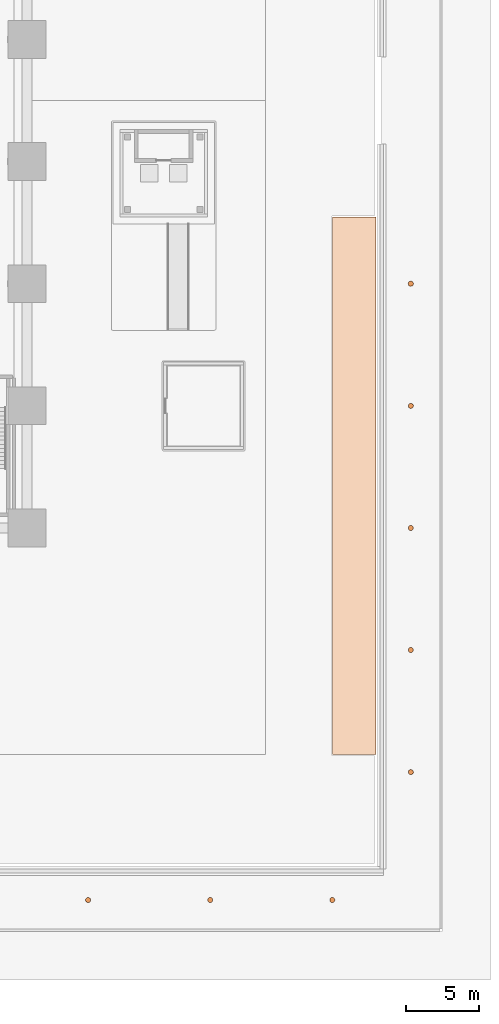
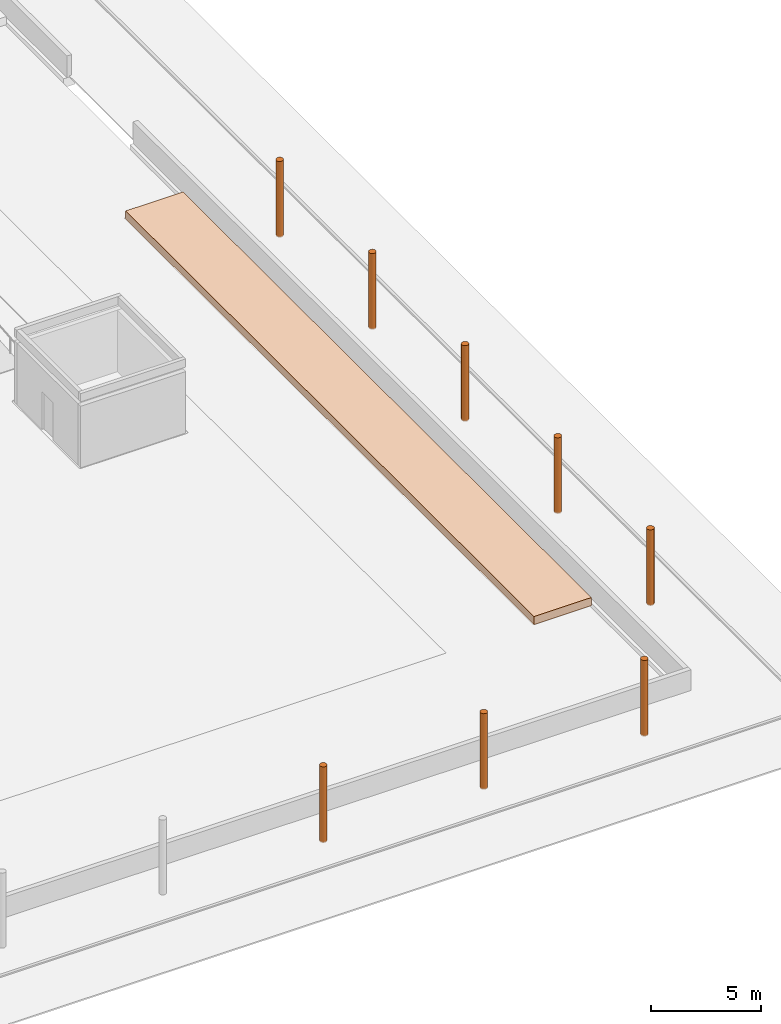
# One storey, part 50 of 52: 9 geographic elements.
"""IFC4 building model written with IfcOpenShell, lengths in metres."""

from ifc_helpers import new_model, si_unit, direction, frame, origin, origin_2d, place, context, subcontext, project, spatial, polyline, circle, outline, extrude, material, material_profile, profile_set, type_object, element, save


model = new_model("IFC4")

# Units and contexts
model_context = context("Model", 3, precision=1e-05, world=origin(), true_north=direction((0.0, 1.0)))
body_context = subcontext(model_context, "Body", "Model", "MODEL_VIEW")
ifc_project = project(units=[si_unit("LENGTHUNIT", "METRE"), si_unit("AREAUNIT", "SQUARE_METRE"), si_unit("VOLUMEUNIT", "CUBIC_METRE"), si_unit("PLANEANGLEUNIT", "RADIAN"), si_unit("MASSUNIT", "GRAM", prefix="KILO")], contexts=[model_context])

# Site, building, storey
site_placement = place(None, origin())
site = spatial("IfcSite", under=ifc_project, at=site_placement, CompositionType="ELEMENT")
building_placement = place(site_placement, origin())
building = spatial("IfcBuilding", under=site, at=building_placement, Name="Cantera Rosa Tower", CompositionType="ELEMENT")
storey_placement = place(building_placement, origin())
storey = spatial("IfcBuildingStorey", under=building, at=storey_placement, Name="L00", CompositionType="ELEMENT", Elevation=0.0)

# Geographic elements
ifc_material_1 = material(Name="Planting soil")
geographic_element_type_1 = type_object("IfcGeographicElementType", Name="Planting bed 450", PredefinedType="USERDEFINED", material=ifc_material_1)
geographic_element_placement = place(storey_placement, origin())
element("IfcGeographicElement", 1, at=geographic_element_placement, inside=storey, type_object=geographic_element_type_1, Name="East bed south", ObjectType="PLANTING_BED", PredefinedType="USERDEFINED", context=body_context, shape_type="SweptSolid", body=[
    extrude(outline(polyline([(57.60009765625, -45.0), (57.60009765625, -8.0), (54.60009765625, -8.0), (54.60009765625, -45.0), (57.60009765625, -45.0)])), origin(), (0.0, 0.0, 1.0), 0.449951171875),
])
ifc_material_2 = material(Name="Timber", Category="wood")
ifc_material_profile = material_profile(ifc_material_2, circle(Radius=0.175048828125, at=origin_2d()), Name="Street tree 350")
ifc_profile_set = profile_set([ifc_material_profile], Name="Timber")
geographic_element_type_2 = type_object("IfcGeographicElementType", Name="Street tree 350", PredefinedType="USERDEFINED", material=ifc_profile_set)
for number, where, z_axis, x_axis, name in (
    (2, (37.800048828125, -55.0, 0.0), (0.0, 0.0, 1.0), (1.0, 0.0, 0.0), "Street tree S7"),
    (3, (46.199951171875, -55.0, 0.0), (0.0, 0.0, 1.0), (1.0, 0.0, 0.0), "Street tree S8"),
    (4, (54.60009765625, -55.0, 0.0), (0.0, 0.0, 1.0), (1.0, 0.0, 0.0), "Street tree S9"),
    (5, (60.0, -46.199951171875, 0.0), (0.0, 0.0, 1.0), (1.0, 0.0, 0.0), "Street tree E31"),
    (6, (60.0, -37.800048828125, 0.0), (0.0, 0.0, 1.0), (1.0, 0.0, 0.0), "Street tree E32"),
    (7, (60.0, -29.39990234375, 0.0), (0.0, 0.0, 1.0), (1.0, 0.0, 0.0), "Street tree E33"),
    (8, (60.0, -21.0, 0.0), (0.0, 0.0, 1.0), (1.0, 0.0, 0.0), "Street tree E34"),
    (9, (60.0, -12.60009765625, 0.0), (0.0, 0.0, 1.0), (1.0, 0.0, 0.0), "Street tree E35"),
):
    element("IfcGeographicElement", number, at=place(storey_placement, frame(where, z_axis=z_axis, x_axis=x_axis)), inside=storey, type_object=geographic_element_type_2, Name=name, ObjectType="TREE", PredefinedType="USERDEFINED", context=body_context, shape_type="SweptSolid", body=[
        extrude(circle(Radius=0.175048828125, at=origin_2d()), origin(), (0.0, 0.0, 1.0), 4.199951171875),
    ])

save(model, "model.ifc")
